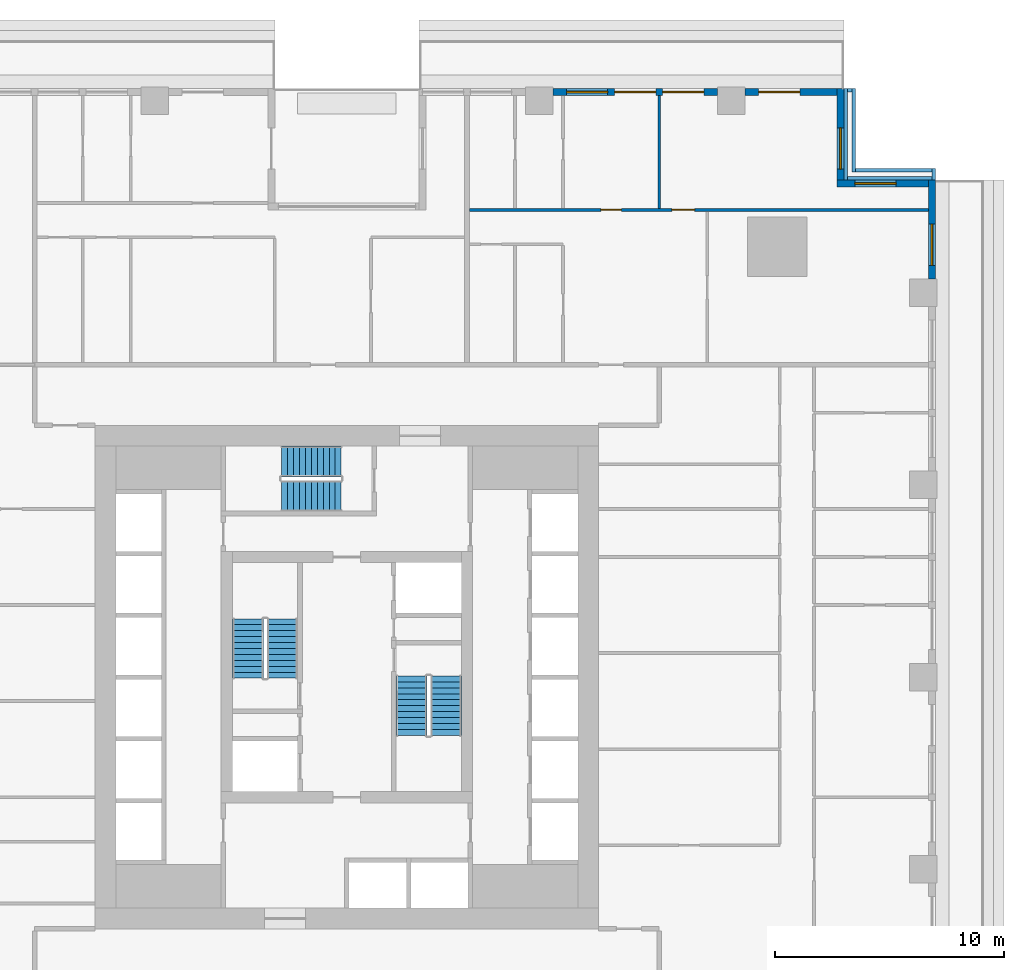
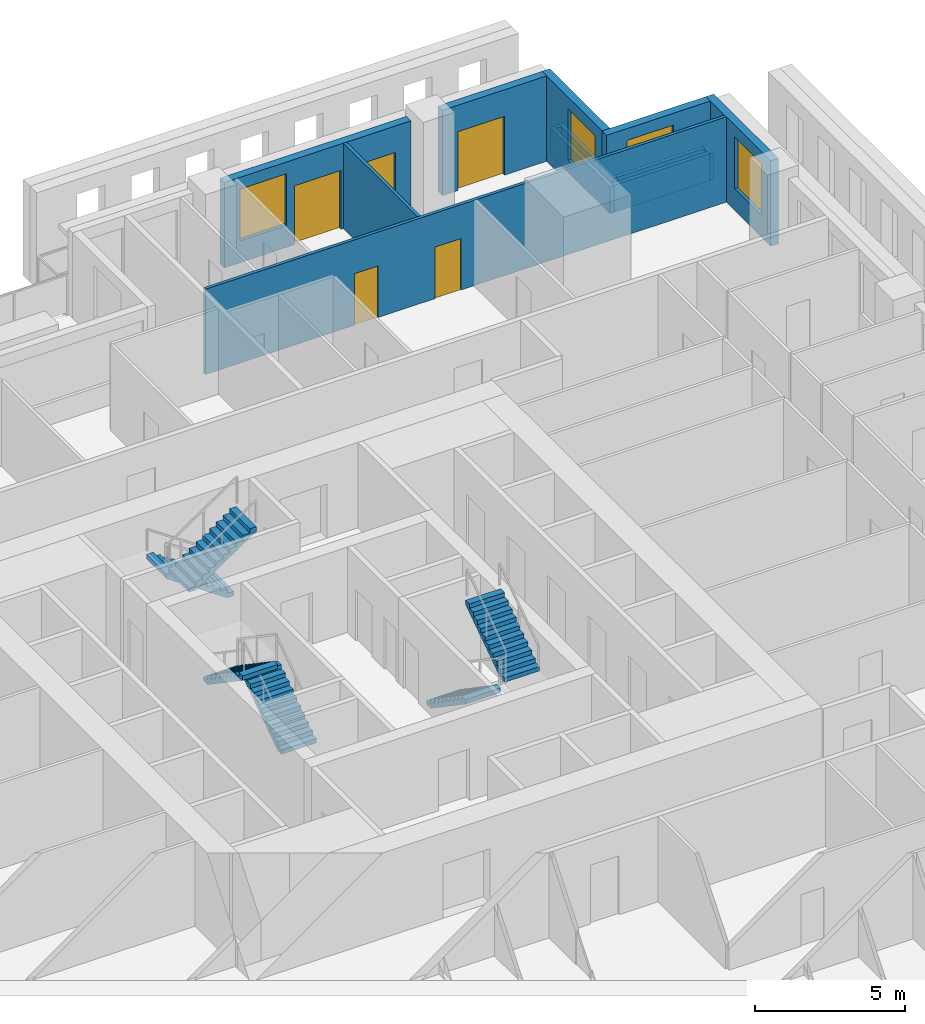
# One storey, part 10 of 16: 13 walls, 6 stair flights, 5 doors, 4 windows, 9 openings, 3 elements without a shape of their own.
"""IFC4 building model written with IfcOpenShell, lengths in metres."""

from ifc_helpers import new_model, si_unit, direction, frame, frame_2d, origin, place, context, subcontext, project, spatial, polyline, rectangle, outline, extrude, material, layer, layer_set, type_object, element, fill, aggregate, save


model = new_model("IFC4")

# Units and contexts
model_context = context("Model", 3, precision=1e-05, world=origin(), true_north=direction((0.0, 1.0)))
body_context = subcontext(model_context, "Body", "Model", "MODEL_VIEW")
ifc_project = project(units=[si_unit("LENGTHUNIT", "METRE"), si_unit("AREAUNIT", "SQUARE_METRE"), si_unit("VOLUMEUNIT", "CUBIC_METRE"), si_unit("PLANEANGLEUNIT", "RADIAN"), si_unit("MASSUNIT", "GRAM", prefix="KILO")], contexts=[model_context])

# Site, building, storey
site_placement = place(None, origin())
site = spatial("IfcSite", under=ifc_project, at=site_placement, CompositionType="ELEMENT")
building_placement = place(site_placement, origin())
building = spatial("IfcBuilding", under=site, at=building_placement, Name="Khepri Terraces", CompositionType="ELEMENT")
storey_placement = place(building_placement, frame((0.0, 0.0, 133.800048828125)))
storey = spatial("IfcBuildingStorey", under=building, at=storey_placement, Name="L31", CompositionType="ELEMENT", Elevation=133.800048828125)

# Wall, opening, window
ifc_material_1 = material(Name="Precast concrete C50/60 warm stone", Category="masonry")
ifc_layer_1 = layer(ifc_material_1, 0.300048828125, Name="Precast concrete C50/60 warm stone", Category="masonry")
ifc_layer_set_1 = layer_set([ifc_layer_1], Name="Precast concrete C50/60 warm stone")
wall_type_1 = type_object("IfcWallType", Name="WL-EXT-PRECAST-300", PredefinedType="STANDARD", material=ifc_layer_set_1)
wall_1_placement = place(storey_placement, frame((25.570068359375, 17.39990234375, 0.0), z_axis=(0.0, 0.0, 1.0), x_axis=(0.0, 1.0, 0.0)))
wall_1 = element("IfcWall", 1, at=wall_1_placement, inside=storey, type_object=wall_type_1, Name="External wall L31 E", PredefinedType="STANDARD", context=body_context, shape_type="SweptSolid", body=[
    extrude(rectangle(XDim=4.320068359375, YDim=0.300048828125, at=frame_2d((2.16015625, 0.0))), origin(), (0.0, 0.0, 1.0), 3.47998046875),
])
opening_1_placement = place(wall_1_placement, frame((0.60009765625, 0.0, 0.89990234375)))
opening_1 = element("IfcOpeningElement", 2, at=opening_1_placement, cuts=wall_1, Name="Opening W1", PredefinedType="OPENING", context=body_context, shape_type="SweptSolid", body=[
    extrude(rectangle(XDim=1.800048828125, YDim=2.10009765625, at=frame_2d((0.89990234375, 1.050048828125))), frame((0.0, 0.16015625, 0.0), z_axis=(0.0, -1.0, 0.0), x_axis=(1.0, 0.0, 0.0)), (0.0, 0.0, 1.0), 0.320068359375),
])
ifc_material_2 = material(Name="Clear glass", Category="glass")
window_type = type_object("IfcWindowType", Name="WIN-RES-1800x2100", PartitioningType="SINGLE_PANEL", PredefinedType="WINDOW", material=ifc_material_2)
window_1_placement = place(opening_1_placement, origin())
window_1 = element("IfcWindow", 3, at=window_1_placement, inside=storey, type_object=window_type, Name="Window L31 E", OverallHeight=2.10009765625, OverallWidth=1.800048828125, PartitioningType="SINGLE_PANEL", PredefinedType="WINDOW", context=body_context, shape_type="SweptSolid", body=[
    extrude(rectangle(XDim=1.800048828125, YDim=2.10009765625, at=frame_2d((0.89990234375, 1.050048828125))), frame((0.0, 0.030029296875, 0.0), z_axis=(0.0, -1.0, 0.0), x_axis=(1.0, 0.0, 0.0)), (0.0, 0.0, 1.0), 0.06005859375),
])
fill(opening_1, window_1)

wall_2_placement = place(storey_placement, frame((25.419921875, 21.570068359375, 0.0), z_axis=(0.0, 0.0, 1.0), x_axis=(-1.0, 0.0, 0.0)))
wall_2 = element("IfcWall", 4, at=wall_2_placement, inside=storey, type_object=wall_type_1, Name="External wall L31 N", PredefinedType="STANDARD", context=body_context, shape_type="SweptSolid", body=[
    extrude(rectangle(XDim=4.0, YDim=0.300048828125, at=frame_2d((2.0, 0.0))), origin(), (0.0, 0.0, 1.0), 3.47998046875),
])
opening_2_placement = place(wall_2_placement, frame((1.419921875, 0.0, 0.89990234375)))
opening_2 = element("IfcOpeningElement", 5, at=opening_2_placement, cuts=wall_2, Name="Opening W1", PredefinedType="OPENING", context=body_context, shape_type="SweptSolid", body=[
    extrude(rectangle(XDim=1.800048828125, YDim=2.10009765625, at=frame_2d((0.89990234375, 1.050048828125))), frame((0.0, 0.16015625, 0.0), z_axis=(0.0, -1.0, 0.0), x_axis=(1.0, 0.0, 0.0)), (0.0, 0.0, 1.0), 0.320068359375),
])
window_2_placement = place(opening_2_placement, origin())
window_2 = element("IfcWindow", 6, at=window_2_placement, inside=storey, type_object=window_type, Name="Window L31 N", OverallHeight=2.10009765625, OverallWidth=1.800048828125, PartitioningType="SINGLE_PANEL", PredefinedType="WINDOW", context=body_context, shape_type="SweptSolid", body=[
    extrude(rectangle(XDim=1.800048828125, YDim=2.10009765625, at=frame_2d((0.89990234375, 1.050048828125))), frame((0.0, 0.030029296875, 0.0), z_axis=(0.0, -1.0, 0.0), x_axis=(1.0, 0.0, 0.0)), (0.0, 0.0, 1.0), 0.06005859375),
])
fill(opening_2, window_2)

wall_3_placement = place(storey_placement, frame((21.570068359375, 21.719970703125, 0.0), z_axis=(0.0, 0.0, 1.0), x_axis=(0.0, 1.0, 0.0)))
wall_3 = element("IfcWall", 7, at=wall_3_placement, inside=storey, type_object=wall_type_1, Name="External wall L31 E", PredefinedType="STANDARD", context=body_context, shape_type="SweptSolid", body=[
    extrude(rectangle(XDim=4.0, YDim=0.300048828125, at=frame_2d((2.0, 0.0))), origin(), (0.0, 0.0, 1.0), 3.47998046875),
])
opening_3_placement = place(wall_3_placement, frame((0.47998046875, 0.0, 0.89990234375)))
opening_3 = element("IfcOpeningElement", 8, at=opening_3_placement, cuts=wall_3, Name="Opening W1", PredefinedType="OPENING", context=body_context, shape_type="SweptSolid", body=[
    extrude(rectangle(XDim=1.800048828125, YDim=2.10009765625, at=frame_2d((0.89990234375, 1.050048828125))), frame((0.0, 0.16015625, 0.0), z_axis=(0.0, -1.0, 0.0), x_axis=(1.0, 0.0, 0.0)), (0.0, 0.0, 1.0), 0.320068359375),
])
window_3_placement = place(opening_3_placement, origin())
window_3 = element("IfcWindow", 9, at=window_3_placement, inside=storey, type_object=window_type, Name="Window L31 E", OverallHeight=2.10009765625, OverallWidth=1.800048828125, PartitioningType="SINGLE_PANEL", PredefinedType="WINDOW", context=body_context, shape_type="SweptSolid", body=[
    extrude(rectangle(XDim=1.800048828125, YDim=2.10009765625, at=frame_2d((0.89990234375, 1.050048828125))), frame((0.0, 0.030029296875, 0.0), z_axis=(0.0, -1.0, 0.0), x_axis=(1.0, 0.0, 0.0)), (0.0, 0.0, 1.0), 0.06005859375),
])
fill(opening_3, window_3)

# Wall, opening, door
wall_4_placement = place(storey_placement, frame((21.419921875, 25.570068359375, 0.0), z_axis=(0.0, 0.0, 1.0), x_axis=(-1.0, 0.0, 0.0)))
wall_4 = element("IfcWall", 10, at=wall_4_placement, inside=storey, type_object=wall_type_1, Name="External wall L31 N", PredefinedType="STANDARD", context=body_context, shape_type="SweptSolid", body=[
    extrude(rectangle(XDim=4.02001953125, YDim=0.300048828125, at=frame_2d((2.010009765625, 0.0))), origin(), (0.0, 0.0, 1.0), 3.47998046875),
])
opening_4_placement = place(wall_4_placement, frame((1.6201171875, 0.0, 0.0)))
opening_4 = element("IfcOpeningElement", 11, at=opening_4_placement, cuts=wall_4, Name="Opening ED-L31-07", PredefinedType="OPENING", context=body_context, shape_type="SweptSolid", body=[
    extrude(rectangle(XDim=1.800048828125, YDim=2.39990234375, at=frame_2d((0.89990234375, 1.199951171875))), frame((0.0, 0.16015625, 0.0), z_axis=(0.0, -1.0, 0.0), x_axis=(1.0, 0.0, 0.0)), (0.0, 0.0, 1.0), 0.320068359375),
])
ifc_material_3 = material(Name="Anodised aluminium bronze glazed door", Category="aluminium")
door_type_1 = type_object("IfcDoorType", Name="DR-BAL-SLIDE-1800x2400", OperationType="NOTDEFINED", PredefinedType="DOOR", material=ifc_material_3)
door_1_placement = place(opening_4_placement, origin())
door_1 = element("IfcDoor", 12, at=door_1_placement, inside=storey, type_object=door_type_1, Name="Balcony door L31 N", OperationType="SLIDING_TO_RIGHT", OverallHeight=2.39990234375, OverallWidth=1.800048828125, PredefinedType="DOOR", context=body_context, shape_type="SweptSolid", body=[
    extrude(rectangle(XDim=1.800048828125, YDim=2.39990234375, at=frame_2d((0.89990234375, 1.199951171875))), frame((0.0, 0.02490234375, 0.0), z_axis=(0.0, -1.0, 0.0), x_axis=(1.0, 0.0, 0.0)), (0.0, 0.0, 1.0), 0.050048828125),
])
fill(opening_4, door_1)

# Wall, openings, doors, window
wall_5_placement = place(storey_placement, frame((16.199951171875, 25.570068359375, 0.0), z_axis=(0.0, 0.0, 1.0), x_axis=(-1.0, 0.0, 0.0)))
wall_5 = element("IfcWall", 13, at=wall_5_placement, inside=storey, type_object=wall_type_1, Name="External wall L31 N", PredefinedType="STANDARD", context=body_context, shape_type="SweptSolid", body=[
    extrude(rectangle(XDim=7.199951171875, YDim=0.300048828125, at=frame_2d((3.60009765625, 0.0))), origin(), (0.0, 0.0, 1.0), 3.47998046875),
])
opening_5_placement = place(wall_5_placement, frame((0.60009765625, 0.0, 0.0)))
opening_5 = element("IfcOpeningElement", 14, at=opening_5_placement, cuts=wall_5, Name="Opening ED-L31-08", PredefinedType="OPENING", context=body_context, shape_type="SweptSolid", body=[
    extrude(rectangle(XDim=1.800048828125, YDim=2.39990234375, at=frame_2d((0.89990234375, 1.199951171875))), frame((0.0, 0.16015625, 0.0), z_axis=(0.0, -1.0, 0.0), x_axis=(1.0, 0.0, 0.0)), (0.0, 0.0, 1.0), 0.320068359375),
])
opening_6_placement = place(wall_5_placement, frame((2.699951171875, 0.0, 0.0)))
opening_6 = element("IfcOpeningElement", 15, at=opening_6_placement, cuts=wall_5, Name="Opening ED-L31-09", PredefinedType="OPENING", context=body_context, shape_type="SweptSolid", body=[
    extrude(rectangle(XDim=1.800048828125, YDim=2.39990234375, at=frame_2d((0.89990234375, 1.199951171875))), frame((0.0, 0.16015625, 0.0), z_axis=(0.0, -1.0, 0.0), x_axis=(1.0, 0.0, 0.0)), (0.0, 0.0, 1.0), 0.320068359375),
])
opening_7_placement = place(wall_5_placement, frame((4.800048828125, 0.0, 0.89990234375)))
opening_7 = element("IfcOpeningElement", 16, at=opening_7_placement, cuts=wall_5, Name="Opening W1", PredefinedType="OPENING", context=body_context, shape_type="SweptSolid", body=[
    extrude(rectangle(XDim=1.800048828125, YDim=2.10009765625, at=frame_2d((0.89990234375, 1.050048828125))), frame((0.0, 0.16015625, 0.0), z_axis=(0.0, -1.0, 0.0), x_axis=(1.0, 0.0, 0.0)), (0.0, 0.0, 1.0), 0.320068359375),
])
door_2_placement = place(opening_5_placement, origin())
door_2 = element("IfcDoor", 17, at=door_2_placement, inside=storey, type_object=door_type_1, Name="Balcony door L31 N", OperationType="SLIDING_TO_LEFT", OverallHeight=2.39990234375, OverallWidth=1.800048828125, PredefinedType="DOOR", context=body_context, shape_type="SweptSolid", body=[
    extrude(rectangle(XDim=1.800048828125, YDim=2.39990234375, at=frame_2d((0.89990234375, 1.199951171875))), frame((0.0, 0.02490234375, 0.0), z_axis=(0.0, -1.0, 0.0), x_axis=(1.0, 0.0, 0.0)), (0.0, 0.0, 1.0), 0.050048828125),
])
fill(opening_5, door_2)
door_3_placement = place(opening_6_placement, origin())
door_3 = element("IfcDoor", 18, at=door_3_placement, inside=storey, type_object=door_type_1, Name="Balcony door L31 N", OperationType="SLIDING_TO_RIGHT", OverallHeight=2.39990234375, OverallWidth=1.800048828125, PredefinedType="DOOR", context=body_context, shape_type="SweptSolid", body=[
    extrude(rectangle(XDim=1.800048828125, YDim=2.39990234375, at=frame_2d((0.89990234375, 1.199951171875))), frame((0.0, 0.02490234375, 0.0), z_axis=(0.0, -1.0, 0.0), x_axis=(1.0, 0.0, 0.0)), (0.0, 0.0, 1.0), 0.050048828125),
])
fill(opening_6, door_3)
window_4_placement = place(opening_7_placement, origin())
window_4 = element("IfcWindow", 19, at=window_4_placement, inside=storey, type_object=window_type, Name="Window L31 N", OverallHeight=2.10009765625, OverallWidth=1.800048828125, PartitioningType="SINGLE_PANEL", PredefinedType="WINDOW", context=body_context, shape_type="SweptSolid", body=[
    extrude(rectangle(XDim=1.800048828125, YDim=2.10009765625, at=frame_2d((0.89990234375, 1.050048828125))), frame((0.0, 0.030029296875, 0.0), z_axis=(0.0, -1.0, 0.0), x_axis=(1.0, 0.0, 0.0)), (0.0, 0.0, 1.0), 0.06005859375),
])
fill(opening_7, window_4)

# Walls
ifc_layer_2 = layer(ifc_material_1, 0.14990234375, Name="Precast concrete C50/60 warm stone", Category="masonry")
ifc_layer_set_2 = layer_set([ifc_layer_2], Name="Precast concrete C50/60 warm stone")
wall_type_2 = type_object("IfcWallType", Name="WL-PARAPET-150", PredefinedType="PARAPET", material=ifc_layer_set_2)
wall_6_placement = place(storey_placement, frame((21.794921875, 21.719970703125, 0.0), z_axis=(0.0, 0.0, 1.0), x_axis=(0.0, 1.0, 0.0)))
element("IfcWall", 20, at=wall_6_placement, inside=storey, type_object=wall_type_2, Name="Ledge parapet L31", PredefinedType="PARAPET", context=body_context, shape_type="SweptSolid", body=[
    extrude(rectangle(XDim=4.0, YDim=0.14990234375, at=frame_2d((2.0, 0.0))), origin(), (0.0, 0.0, 1.0), 1.099853515625),
])
wall_7_placement = place(storey_placement, frame((21.8701171875, 25.64501953125, 0.0), z_axis=(0.0, 0.0, 1.0), x_axis=(1.0, 0.0, 0.0)))
element("IfcWall", 21, at=wall_7_placement, inside=storey, type_object=wall_type_2, Name="Ledge parapet L31", PredefinedType="PARAPET", context=body_context, shape_type="SweptSolid", body=[
    extrude(rectangle(XDim=0.199951171875, YDim=0.14990234375, at=frame_2d((0.10009765625, 0.0))), origin(), (0.0, 0.0, 1.0), 1.099853515625),
])
wall_8_placement = place(storey_placement, frame((21.8701171875, 21.794921875, 0.0), z_axis=(0.0, 0.0, 1.0), x_axis=(1.0, 0.0, 0.0)))
element("IfcWall", 22, at=wall_8_placement, inside=storey, type_object=wall_type_2, Name="Ledge parapet L31", PredefinedType="PARAPET", context=body_context, shape_type="SweptSolid", body=[
    extrude(rectangle(XDim=3.699951171875, YDim=0.14990234375, at=frame_2d((1.85009765625, 0.0))), origin(), (0.0, 0.0, 1.0), 1.099853515625),
])
wall_9_placement = place(storey_placement, frame((22.14501953125, 22.070068359375, 0.0), z_axis=(0.0, 0.0, 1.0), x_axis=(0.0, 1.0, 0.0)))
element("IfcWall", 23, at=wall_9_placement, inside=storey, type_object=wall_type_2, Name="Ledge parapet L31", PredefinedType="PARAPET", context=body_context, shape_type="SweptSolid", body=[
    extrude(rectangle(XDim=3.64990234375, YDim=0.14990234375, at=frame_2d((1.824951171875, 0.0))), origin(), (0.0, 0.0, 1.0), 1.099853515625),
])
wall_10_placement = place(storey_placement, frame((22.219970703125, 22.14501953125, 0.0), z_axis=(0.0, 0.0, 1.0), x_axis=(1.0, 0.0, 0.0)))
element("IfcWall", 24, at=wall_10_placement, inside=storey, type_object=wall_type_2, Name="Ledge parapet L31", PredefinedType="PARAPET", context=body_context, shape_type="SweptSolid", body=[
    extrude(rectangle(XDim=3.35009765625, YDim=0.14990234375, at=frame_2d((1.675048828125, 0.0))), origin(), (0.0, 0.0, 1.0), 1.099853515625),
])
wall_11_placement = place(storey_placement, frame((25.64501953125, 21.719970703125, 0.0), z_axis=(0.0, 0.0, 1.0), x_axis=(0.0, 1.0, 0.0)))
element("IfcWall", 25, at=wall_11_placement, inside=storey, type_object=wall_type_2, Name="Ledge parapet L31", PredefinedType="PARAPET", context=body_context, shape_type="SweptSolid", body=[
    extrude(rectangle(XDim=0.5, YDim=0.14990234375, at=frame_2d((0.25, 0.0))), origin(), (0.0, 0.0, 1.0), 1.099853515625),
])

# Wall, openings, doors
ifc_material_4 = material(Name="Gypsum plasterboard partition")
ifc_layer_3 = layer(ifc_material_4, 0.1201171875, Name="Gypsum plasterboard partition")
ifc_layer_set_3 = layer_set([ifc_layer_3], Name="Gypsum plasterboard partition")
wall_type_3 = type_object("IfcWallType", Name="WL-PART-120", PredefinedType="PARTITIONING", material=ifc_layer_set_3)
wall_12_placement = place(storey_placement, frame((5.35009765625, 20.419921875, 0.0), z_axis=(0.0, 0.0, 1.0), x_axis=(1.0, 0.0, 0.0)))
wall_12 = element("IfcWall", 26, at=wall_12_placement, inside=storey, type_object=wall_type_3, Name="Partition P-100 L31", PredefinedType="PARTITIONING", context=body_context, shape_type="SweptSolid", body=[
    extrude(rectangle(XDim=20.06982421875, YDim=0.1201171875, at=frame_2d((10.034912109375, 0.0))), origin(), (0.0, 0.0, 1.0), 3.47998046875),
])
opening_8_placement = place(wall_12_placement, frame((8.85009765625, 0.0, 0.0)))
opening_8 = element("IfcOpeningElement", 27, at=opening_8_placement, cuts=wall_12, Name="Opening D2", PredefinedType="OPENING", context=body_context, shape_type="SweptSolid", body=[
    extrude(rectangle(XDim=1.0, YDim=2.10009765625, at=frame_2d((0.5, 1.050048828125))), frame((0.0, 0.070068359375, 0.0), z_axis=(0.0, -1.0, 0.0), x_axis=(1.0, 0.0, 0.0)), (0.0, 0.0, 1.0), 0.14013671875),
])
opening_9_placement = place(wall_12_placement, frame((5.75, 0.0, 0.0)))
opening_9 = element("IfcOpeningElement", 28, at=opening_9_placement, cuts=wall_12, Name="Opening D3", PredefinedType="OPENING", context=body_context, shape_type="SweptSolid", body=[
    extrude(rectangle(XDim=0.89990234375, YDim=2.10009765625, at=frame_2d((0.449951171875, 1.050048828125))), frame((0.0, 0.070068359375, 0.0), z_axis=(0.0, -1.0, 0.0), x_axis=(1.0, 0.0, 0.0)), (0.0, 0.0, 1.0), 0.14013671875),
])
ifc_material_5 = material(Name="Timber door leaf, living room door", Category="wood")
door_type_2 = type_object("IfcDoorType", Name="DR-INT-1000", OperationType="NOTDEFINED", PredefinedType="DOOR", material=ifc_material_5)
door_4_placement = place(opening_8_placement, origin())
door_4 = element("IfcDoor", 29, at=door_4_placement, inside=storey, type_object=door_type_2, Name="Door Living Room", OperationType="SINGLE_SWING_LEFT", OverallHeight=2.10009765625, OverallWidth=1.0, PredefinedType="DOOR", context=body_context, shape_type="SweptSolid", body=[
    extrude(rectangle(XDim=1.0, YDim=2.10009765625, at=frame_2d((0.5, 1.050048828125))), frame((0.0, 0.02490234375, 0.0), z_axis=(0.0, -1.0, 0.0), x_axis=(1.0, 0.0, 0.0)), (0.0, 0.0, 1.0), 0.050048828125),
])
fill(opening_8, door_4)
ifc_material_6 = material(Name="Timber door leaf", Category="wood")
door_type_3 = type_object("IfcDoorType", Name="DR-INT-900", OperationType="NOTDEFINED", PredefinedType="DOOR", material=ifc_material_6)
door_5_placement = place(opening_9_placement, origin())
door_5 = element("IfcDoor", 30, at=door_5_placement, inside=storey, type_object=door_type_3, Name="Door Master Bedroom", OperationType="SINGLE_SWING_LEFT", OverallHeight=2.10009765625, OverallWidth=0.89990234375, PredefinedType="DOOR", context=body_context, shape_type="SweptSolid", body=[
    extrude(rectangle(XDim=0.89990234375, YDim=2.10009765625, at=frame_2d((0.449951171875, 1.050048828125))), frame((0.0, 0.02490234375, 0.0), z_axis=(0.0, -1.0, 0.0), x_axis=(1.0, 0.0, 0.0)), (0.0, 0.0, 1.0), 0.050048828125),
])
fill(opening_9, door_5)

# Wall
wall_13_placement = place(storey_placement, frame((13.64990234375, 20.47998046875, 0.0), z_axis=(0.0, 0.0, 1.0), x_axis=(0.0, 1.0, 0.0)))
element("IfcWall", 31, at=wall_13_placement, inside=storey, type_object=wall_type_3, Name="Partition P-103 L31", PredefinedType="PARTITIONING", context=body_context, shape_type="SweptSolid", body=[
    extrude(rectangle(XDim=4.93994140625, YDim=0.1201171875, at=frame_2d((2.469970703125, 0.0))), origin(), (0.0, 0.0, 1.0), 3.47998046875),
])

# Stair, stair flights
ifc_material_7 = material(Name="Concrete C40/50", Category="concrete")
stair_type = type_object("IfcStairType", Name="STAIR-RC-22R", PredefinedType="HALF_TURN_STAIR", material=ifc_material_7)
stair_1_placement = place(storey_placement, origin())
stair_1 = element("IfcStair", 32, at=stair_1_placement, inside=storey, type_object=stair_type, Name="L31 Exit Stair ST-1", PredefinedType="HALF_TURN_STAIR")
stair_flight_type = type_object("IfcStairFlightType", Name="SFL-RC-177.3", PredefinedType="STRAIGHT", material=ifc_material_7)
stair_flight_1_placement = place(storey_placement, frame((-2.824951171875, -0.050048828125, 0.0), z_axis=(0.0, 0.0, 1.0), x_axis=(0.0, 1.0, 0.0)))
stair_flight_1 = element("IfcStairFlight", 33, at=stair_flight_1_placement, type_object=stair_flight_type, Name="ST-1 flight 1", NumberOfRisers=11, NumberOfTreads=10, PredefinedType="STRAIGHT", RiserHeight=0.177272727, TreadLength=0.26, context=body_context, shape_type="SweptSolid", body=[
    extrude(outline(polyline([(0.0, 0.0), (0.0, 0.17724609375), (0.260009765625, 0.17724609375), (0.260009765625, 0.3544921875), (0.52001953125, 0.3544921875), (0.52001953125, 0.53173828125), (0.780029296875, 0.53173828125), (0.780029296875, 0.708984375), (1.0400390625, 0.708984375), (1.0400390625, 0.886474609375), (1.300048828125, 0.886474609375), (1.300048828125, 1.063720703125), (1.56005859375, 1.063720703125), (1.56005859375, 1.240966796875), (1.820068359375, 1.240966796875), (1.820068359375, 1.418212890625), (2.080078125, 1.418212890625), (2.080078125, 1.595458984375), (2.340087890625, 1.595458984375), (2.340087890625, 1.772705078125), (2.60009765625, 1.772705078125), (2.60009765625, 1.949951171875), (2.60009765625, 1.59130859375), (0.26611328125, 0.0), (0.0, 0.0)])), frame((0.0, 0.675048828125, 0.0), z_axis=(0.0, -1.0, 0.0), x_axis=(1.0, 0.0, 0.0)), (0.0, 0.0, 1.0), 1.35009765625),
])
stair_flight_2_placement = place(storey_placement, frame((-4.324951171875, 2.550048828125, 1.949951171875), z_axis=(0.0, 0.0, 1.0), x_axis=(0.0, -1.0, 0.0)))
stair_flight_2 = element("IfcStairFlight", 34, at=stair_flight_2_placement, type_object=stair_flight_type, Name="ST-1 flight 2", NumberOfRisers=11, NumberOfTreads=10, PredefinedType="STRAIGHT", RiserHeight=0.177272727, TreadLength=0.26, context=body_context, shape_type="SweptSolid", body=[
    extrude(outline(polyline([(0.0, 0.0), (0.0, 0.17724609375), (0.260009765625, 0.17724609375), (0.260009765625, 0.3544921875), (0.52001953125, 0.3544921875), (0.52001953125, 0.53173828125), (0.780029296875, 0.53173828125), (0.780029296875, 0.708984375), (1.0400390625, 0.708984375), (1.0400390625, 0.886474609375), (1.300048828125, 0.886474609375), (1.300048828125, 1.063720703125), (1.56005859375, 1.063720703125), (1.56005859375, 1.240966796875), (1.820068359375, 1.240966796875), (1.820068359375, 1.418212890625), (2.080078125, 1.418212890625), (2.080078125, 1.595458984375), (2.340087890625, 1.595458984375), (2.340087890625, 1.772705078125), (2.60009765625, 1.772705078125), (2.60009765625, 1.949951171875), (2.60009765625, 1.59130859375), (0.26611328125, 0.0), (0.0, 0.0)])), frame((0.0, 0.675048828125, 0.0), z_axis=(0.0, -1.0, 0.0), x_axis=(1.0, 0.0, 0.0)), (0.0, 0.0, 1.0), 1.35009765625),
])
aggregate(stair_1, [stair_flight_1, stair_flight_2])

stair_2_placement = place(storey_placement, origin())
stair_2 = element("IfcStair", 35, at=stair_2_placement, inside=storey, type_object=stair_type, Name="L31 Exit Stair ST-2", PredefinedType="HALF_TURN_STAIR")
stair_flight_3_placement = place(storey_placement, frame((2.824951171875, 0.050048828125, 0.0), z_axis=(0.0, 0.0, 1.0), x_axis=(0.0, -1.0, 0.0)))
stair_flight_3 = element("IfcStairFlight", 36, at=stair_flight_3_placement, type_object=stair_flight_type, Name="ST-2 flight 1", NumberOfRisers=11, NumberOfTreads=10, PredefinedType="STRAIGHT", RiserHeight=0.177272727, TreadLength=0.26, context=body_context, shape_type="SweptSolid", body=[
    extrude(outline(polyline([(0.0, 0.0), (0.0, 0.17724609375), (0.260009765625, 0.17724609375), (0.260009765625, 0.3544921875), (0.52001953125, 0.3544921875), (0.52001953125, 0.53173828125), (0.780029296875, 0.53173828125), (0.780029296875, 0.708984375), (1.0400390625, 0.708984375), (1.0400390625, 0.886474609375), (1.300048828125, 0.886474609375), (1.300048828125, 1.063720703125), (1.56005859375, 1.063720703125), (1.56005859375, 1.240966796875), (1.820068359375, 1.240966796875), (1.820068359375, 1.418212890625), (2.080078125, 1.418212890625), (2.080078125, 1.595458984375), (2.340087890625, 1.595458984375), (2.340087890625, 1.772705078125), (2.60009765625, 1.772705078125), (2.60009765625, 1.949951171875), (2.60009765625, 1.59130859375), (0.26611328125, 0.0), (0.0, 0.0)])), frame((0.0, 0.675048828125, 0.0), z_axis=(0.0, -1.0, 0.0), x_axis=(1.0, 0.0, 0.0)), (0.0, 0.0, 1.0), 1.35009765625),
])
stair_flight_4_placement = place(storey_placement, frame((4.324951171875, -2.550048828125, 1.949951171875), z_axis=(0.0, 0.0, 1.0), x_axis=(0.0, 1.0, 0.0)))
stair_flight_4 = element("IfcStairFlight", 37, at=stair_flight_4_placement, type_object=stair_flight_type, Name="ST-2 flight 2", NumberOfRisers=11, NumberOfTreads=10, PredefinedType="STRAIGHT", RiserHeight=0.177272727, TreadLength=0.26, context=body_context, shape_type="SweptSolid", body=[
    extrude(outline(polyline([(0.0, 0.0), (0.0, 0.17724609375), (0.260009765625, 0.17724609375), (0.260009765625, 0.3544921875), (0.52001953125, 0.3544921875), (0.52001953125, 0.53173828125), (0.780029296875, 0.53173828125), (0.780029296875, 0.708984375), (1.0400390625, 0.708984375), (1.0400390625, 0.886474609375), (1.300048828125, 0.886474609375), (1.300048828125, 1.063720703125), (1.56005859375, 1.063720703125), (1.56005859375, 1.240966796875), (1.820068359375, 1.240966796875), (1.820068359375, 1.418212890625), (2.080078125, 1.418212890625), (2.080078125, 1.595458984375), (2.340087890625, 1.595458984375), (2.340087890625, 1.772705078125), (2.60009765625, 1.772705078125), (2.60009765625, 1.949951171875), (2.60009765625, 1.59130859375), (0.26611328125, 0.0), (0.0, 0.0)])), frame((0.0, 0.675048828125, 0.0), z_axis=(0.0, -1.0, 0.0), x_axis=(1.0, 0.0, 0.0)), (0.0, 0.0, 1.0), 1.35009765625),
])
aggregate(stair_2, [stair_flight_3, stair_flight_4])

stair_3_placement = place(storey_placement, origin())
stair_3 = element("IfcStair", 38, at=stair_3_placement, inside=storey, type_object=stair_type, Name="L31 Exit Stair ST-3", PredefinedType="HALF_TURN_STAIR")
stair_flight_5_placement = place(storey_placement, frame((-0.25, 9.425048828125, 0.0), z_axis=(0.0, 0.0, 1.0), x_axis=(-1.0, 0.0, 0.0)))
stair_flight_5 = element("IfcStairFlight", 39, at=stair_flight_5_placement, type_object=stair_flight_type, Name="ST-3 flight 1", NumberOfRisers=11, NumberOfTreads=10, PredefinedType="STRAIGHT", RiserHeight=0.177272727, TreadLength=0.26, context=body_context, shape_type="SweptSolid", body=[
    extrude(outline(polyline([(0.0, 0.0), (0.0, 0.17724609375), (0.260009765625, 0.17724609375), (0.260009765625, 0.3544921875), (0.52001953125, 0.3544921875), (0.52001953125, 0.53173828125), (0.780029296875, 0.53173828125), (0.780029296875, 0.708984375), (1.0400390625, 0.708984375), (1.0400390625, 0.886474609375), (1.300048828125, 0.886474609375), (1.300048828125, 1.063720703125), (1.56005859375, 1.063720703125), (1.56005859375, 1.240966796875), (1.820068359375, 1.240966796875), (1.820068359375, 1.418212890625), (2.080078125, 1.418212890625), (2.080078125, 1.595458984375), (2.340087890625, 1.595458984375), (2.340087890625, 1.772705078125), (2.60009765625, 1.772705078125), (2.60009765625, 1.949951171875), (2.60009765625, 1.59130859375), (0.26611328125, 0.0), (0.0, 0.0)])), frame((0.0, 0.675048828125, 0.0), z_axis=(0.0, -1.0, 0.0), x_axis=(1.0, 0.0, 0.0)), (0.0, 0.0, 1.0), 1.35009765625),
])
stair_flight_6_placement = place(storey_placement, frame((-2.85009765625, 7.925048828125, 1.949951171875), z_axis=(0.0, 0.0, 1.0), x_axis=(1.0, 0.0, 0.0)))
stair_flight_6 = element("IfcStairFlight", 40, at=stair_flight_6_placement, type_object=stair_flight_type, Name="ST-3 flight 2", NumberOfRisers=11, NumberOfTreads=10, PredefinedType="STRAIGHT", RiserHeight=0.177272727, TreadLength=0.26, context=body_context, shape_type="SweptSolid", body=[
    extrude(outline(polyline([(0.0, 0.0), (0.0, 0.17724609375), (0.260009765625, 0.17724609375), (0.260009765625, 0.3544921875), (0.52001953125, 0.3544921875), (0.52001953125, 0.53173828125), (0.780029296875, 0.53173828125), (0.780029296875, 0.708984375), (1.0400390625, 0.708984375), (1.0400390625, 0.886474609375), (1.300048828125, 0.886474609375), (1.300048828125, 1.063720703125), (1.56005859375, 1.063720703125), (1.56005859375, 1.240966796875), (1.820068359375, 1.240966796875), (1.820068359375, 1.418212890625), (2.080078125, 1.418212890625), (2.080078125, 1.595458984375), (2.340087890625, 1.595458984375), (2.340087890625, 1.772705078125), (2.60009765625, 1.772705078125), (2.60009765625, 1.949951171875), (2.60009765625, 1.59130859375), (0.26611328125, 0.0), (0.0, 0.0)])), frame((0.0, 0.675048828125, 0.0), z_axis=(0.0, -1.0, 0.0), x_axis=(1.0, 0.0, 0.0)), (0.0, 0.0, 1.0), 1.35009765625),
])
aggregate(stair_3, [stair_flight_5, stair_flight_6])

save(model, "model.ifc")
